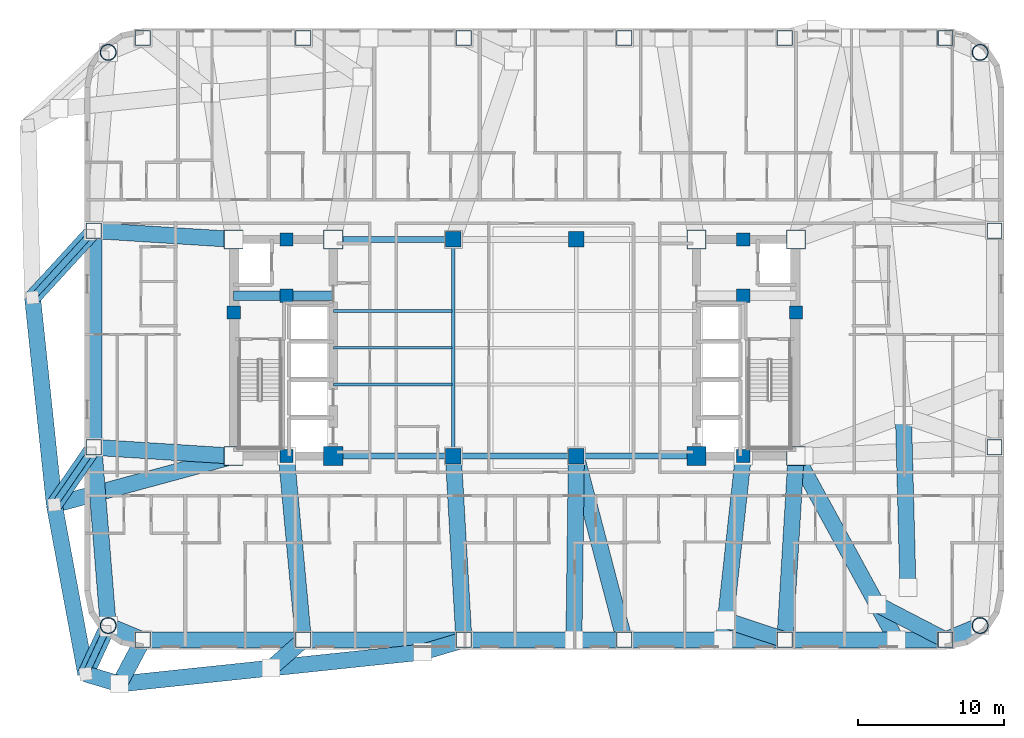
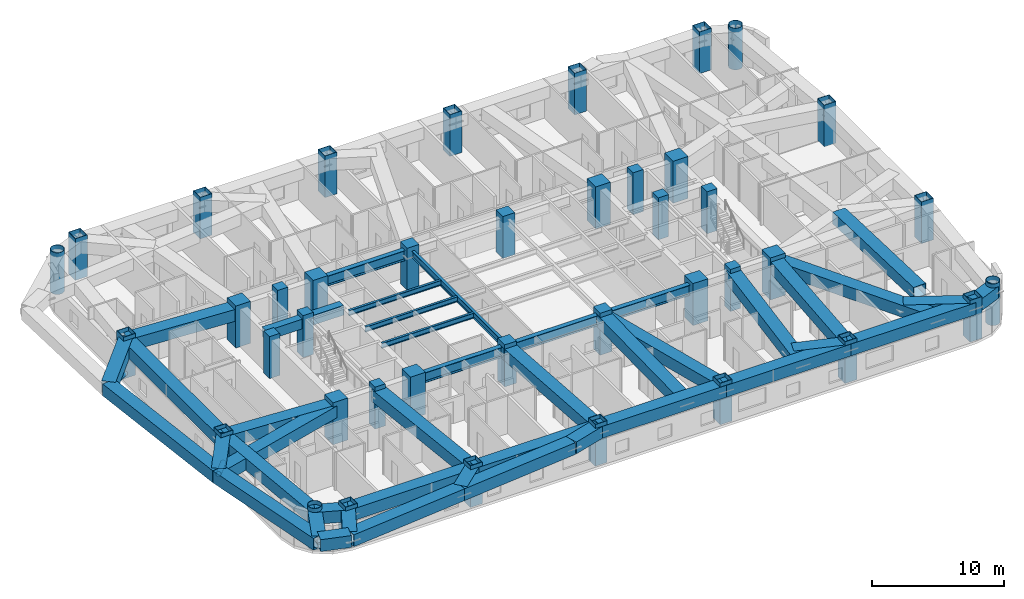
# One storey, part 1 of 14: 42 beams, 40 columns, 3 members.
"""IFC4 building model written with IfcOpenShell, lengths in metres."""

from ifc_helpers import new_model, si_unit, direction, frame, origin, origin_2d, place, context, subcontext, project, spatial, rectangle, hollow_rectangle, hollow_circle, i_section, extrude, material, material_profile, profile_set, type_object, element, save


model = new_model("IFC4")

# Units and contexts
model_context = context("Model", 3, precision=1e-05, world=origin(), true_north=direction((0.0, 1.0)))
body_context = subcontext(model_context, "Body", "Model", "MODEL_VIEW")
ifc_project = project(units=[si_unit("LENGTHUNIT", "METRE"), si_unit("AREAUNIT", "SQUARE_METRE"), si_unit("VOLUMEUNIT", "CUBIC_METRE"), si_unit("PLANEANGLEUNIT", "RADIAN"), si_unit("MASSUNIT", "GRAM", prefix="KILO")], contexts=[model_context])

# Site, building, storey
site_placement = place(None, origin())
site = spatial("IfcSite", under=ifc_project, at=site_placement, CompositionType="ELEMENT")
building_placement = place(site_placement, origin())
building = spatial("IfcBuilding", under=site, at=building_placement, Name="Voryun Gate Residences", CompositionType="ELEMENT")
storey_placement = place(building_placement, frame((0.0, 0.0, 136.5)))
storey = spatial("IfcBuildingStorey", under=building, at=storey_placement, Name="L33", CompositionType="ELEMENT", Elevation=136.5)

# Columns
ifc_material_1 = material(Name="Concrete C50/60", Category="concrete")
ifc_material_profile_1 = material_profile(ifc_material_1, rectangle(XDim=1.050048828125, YDim=1.050048828125, at=origin_2d()), Name="RC-1050x1050")
ifc_profile_set_1 = profile_set([ifc_material_profile_1], Name="Concrete C50/60")
column_type_1 = type_object("IfcColumnType", Name="COL_CORE_1050", PredefinedType="COLUMN", material=ifc_profile_set_1)
for number, where, z_axis, x_axis, name in (
    (1, (-4.199951171875, -7.39990234375, 0.0), (0.0, 0.0, 1.0), (1.0, 0.0, 0.0), "L33 Interior spine column SP-WS"),
    (2, (-4.199951171875, 7.39990234375, 0.0), (0.0, 0.0, 1.0), (1.0, 0.0, 0.0), "L33 Interior spine column SP-WN"),
    (3, (4.199951171875, -7.39990234375, 0.0), (0.0, 0.0, 1.0), (1.0, 0.0, 0.0), "L33 Interior spine column SP-ES"),
    (4, (4.199951171875, 7.39990234375, 0.0), (0.0, 0.0, 1.0), (1.0, 0.0, 0.0), "L33 Interior spine column SP-EN"),
):
    element("IfcColumn", number, at=place(storey_placement, frame(where, z_axis=z_axis, x_axis=x_axis)), inside=storey, type_object=column_type_1, Name=name, PredefinedType="COLUMN", context=body_context, shape_type="SweptSolid", body=[
        extrude(rectangle(XDim=1.050048828125, YDim=1.050048828125, at=origin_2d()), origin(), (0.0, 0.0, 1.0), 3.89990234375),
    ])
ifc_material_2 = material(Name="Concrete C50/60", Category="concrete")
ifc_material_profile_2 = material_profile(ifc_material_2, rectangle(XDim=0.89990234375, YDim=0.89990234375, at=origin_2d()), Name="RC-900x900")
ifc_profile_set_2 = profile_set([ifc_material_profile_2], Name="Concrete C50/60")
column_type_2 = type_object("IfcColumnType", Name="COL_CORE_900", PredefinedType="COLUMN", material=ifc_profile_set_2)
for number, where, z_axis, x_axis, name in (
    (5, (-19.199951171875, 2.39990234375, 0.0), (0.0, 0.0, 1.0), (1.0, 0.0, 0.0), "L33 Core boundary column WC-MW"),
    (6, (-15.60009765625, -7.39990234375, 0.0), (0.0, 0.0, 1.0), (1.0, 0.0, 0.0), "L33 Core boundary column WC-SM"),
    (7, (-15.60009765625, 7.39990234375, 0.0), (0.0, 0.0, 1.0), (1.0, 0.0, 0.0), "L33 Core boundary column WC-NM"),
    (8, (-15.60009765625, 3.550048828125, 0.0), (0.0, 0.0, 1.0), (1.0, 0.0, 0.0), "L33 Core boundary column WC-MM"),
    (9, (15.60009765625, 3.550048828125, 0.0), (0.0, 0.0, 1.0), (1.0, 0.0, 0.0), "L33 Core boundary column EC-MM"),
    (10, (15.60009765625, -7.39990234375, 0.0), (0.0, 0.0, 1.0), (1.0, 0.0, 0.0), "L33 Core boundary column EC-SM"),
    (11, (15.60009765625, 7.39990234375, 0.0), (0.0, 0.0, 1.0), (1.0, 0.0, 0.0), "L33 Core boundary column EC-NM"),
    (12, (19.199951171875, 2.39990234375, 0.0), (0.0, 0.0, 1.0), (1.0, 0.0, 0.0), "L33 Core boundary column EC-ME"),
):
    element("IfcColumn", number, at=place(storey_placement, frame(where, z_axis=z_axis, x_axis=x_axis)), inside=storey, type_object=column_type_2, Name=name, PredefinedType="COLUMN", context=body_context, shape_type="SweptSolid", body=[
        extrude(rectangle(XDim=0.89990234375, YDim=0.89990234375, at=origin_2d()), origin(), (0.0, 0.0, 1.0), 3.89990234375),
    ])
ifc_material_3 = material(Name="Steel SM420", Category="steel")
ifc_material_profile_3 = material_profile(ifc_material_3, hollow_circle(Radius=0.550048828125, WallThickness=0.035888671875, at=origin_2d()), Name="CHS-1100x36")
ifc_profile_set_3 = profile_set([ifc_material_profile_3], Name="Steel SM420")
column_type_3 = type_object("IfcColumnType", Name="COL_CRN_1100", PredefinedType="COLUMN", material=ifc_profile_set_3)
for number, where, z_axis, x_axis, name in (
    (13, (31.768798828125, -18.96875, 0.0), (0.0, 0.0, 1.0), (1.0, 0.0, 0.0), "L33 Exoskeleton column CSE"),
    (14, (31.768798828125, 20.168701171875, 0.0), (0.0, 0.0, 1.0), (1.0, 0.0, 0.0), "L33 Exoskeleton column CNE"),
    (15, (-27.768798828125, 20.168701171875, 0.0), (0.0, 0.0, 1.0), (1.0, 0.0, 0.0), "L33 Exoskeleton column CNW"),
    (16, (-27.768798828125, -18.96875, 0.0), (0.0, 0.0, 1.0), (1.0, 0.0, 0.0), "L33 Exoskeleton column CSW"),
):
    element("IfcColumn", number, at=place(storey_placement, frame(where, z_axis=z_axis, x_axis=x_axis)), inside=storey, type_object=column_type_3, Name=name, PredefinedType="COLUMN", context=body_context, shape_type="SweptSolid", body=[
        extrude(hollow_circle(Radius=0.550048828125, WallThickness=0.035888671875, at=origin_2d()), origin(), (0.0, 0.0, 1.0), 3.864990234375),
    ])
ifc_material_4 = material(Name="Steel SM420", Category="steel")
ifc_material_profile_4 = material_profile(ifc_material_4, hollow_rectangle(XDim=1.050048828125, YDim=1.050048828125, WallThickness=0.035888671875, at=origin_2d()), Name="BOX-1050x1050x36")
ifc_profile_set_4 = profile_set([ifc_material_profile_4], Name="Steel SM420")
column_type_4 = type_object("IfcColumnType", Name="COL_EXO_B2", PredefinedType="COLUMN", material=ifc_profile_set_4)
for number, where, z_axis, x_axis, name in (
    (17, (-25.39990234375, -19.949951171875, 0.0), (0.0, 0.0, 1.0), (1.0, 0.0, 0.0), "L33 Exoskeleton column S1"),
    (18, (-14.43994140625, -19.949951171875, 0.0), (0.0, 0.0, 1.0), (1.0, 0.0, 0.0), "L33 Exoskeleton column S2"),
    (19, (-3.47998046875, -19.949951171875, 0.0), (0.0, 0.0, 1.0), (1.0, 0.0, 0.0), "L33 Exoskeleton column S3"),
    (20, (7.47998046875, -19.949951171875, 0.0), (0.0, 0.0, 1.0), (1.0, 0.0, 0.0), "L33 Exoskeleton column S4"),
    (21, (18.43994140625, -19.949951171875, 0.0), (0.0, 0.0, 1.0), (1.0, 0.0, 0.0), "L33 Exoskeleton column S5"),
    (22, (29.39990234375, -19.949951171875, 0.0), (0.0, 0.0, 1.0), (1.0, 0.0, 0.0), "L33 Exoskeleton column S6"),
    (23, (32.75, -6.798095703125, 0.0), (0.0, 0.0, 1.0), (1.0, 0.0, 0.0), "L33 Exoskeleton column E1"),
    (24, (32.75, 7.998046875, 0.0), (0.0, 0.0, 1.0), (1.0, 0.0, 0.0), "L33 Exoskeleton column E2"),
    (25, (29.39990234375, 21.14990234375, 0.0), (0.0, 0.0, 1.0), (1.0, 0.0, 0.0), "L33 Exoskeleton column N1"),
    (26, (18.43994140625, 21.14990234375, 0.0), (0.0, 0.0, 1.0), (1.0, 0.0, 0.0), "L33 Exoskeleton column N2"),
    (27, (7.47998046875, 21.14990234375, 0.0), (0.0, 0.0, 1.0), (1.0, 0.0, 0.0), "L33 Exoskeleton column N3"),
    (28, (-3.47998046875, 21.14990234375, 0.0), (0.0, 0.0, 1.0), (1.0, 0.0, 0.0), "L33 Exoskeleton column N4"),
    (29, (-14.43994140625, 21.14990234375, 0.0), (0.0, 0.0, 1.0), (1.0, 0.0, 0.0), "L33 Exoskeleton column N5"),
    (30, (-25.39990234375, 21.14990234375, 0.0), (0.0, 0.0, 1.0), (1.0, 0.0, 0.0), "L33 Exoskeleton column N6"),
    (31, (-28.75, 7.998046875, 0.0), (0.0, 0.0, 1.0), (1.0, 0.0, 0.0), "L33 Exoskeleton column W1"),
    (32, (-28.75, -6.798095703125, 0.0), (0.0, 0.0, 1.0), (1.0, 0.0, 0.0), "L33 Exoskeleton column W2"),
):
    element("IfcColumn", number, at=place(storey_placement, frame(where, z_axis=z_axis, x_axis=x_axis)), inside=storey, type_object=column_type_4, Name=name, PredefinedType="COLUMN", context=body_context, shape_type="SweptSolid", body=[
        extrude(hollow_rectangle(XDim=1.050048828125, YDim=1.050048828125, WallThickness=0.035888671875, at=origin_2d()), origin(), (0.0, 0.0, 1.0), 3.864990234375),
    ])
ifc_material_5 = material(Name="Concrete C60/75", Category="concrete")
ifc_material_profile_5 = material_profile(ifc_material_5, rectangle(XDim=1.300048828125, YDim=1.300048828125, at=origin_2d()), Name="RC-1300x1300")
ifc_profile_set_5 = profile_set([ifc_material_profile_5], Name="Concrete C60/75")
column_type_5 = type_object("IfcColumnType", Name="COL_MEGA_1300", PredefinedType="COLUMN", material=ifc_profile_set_5)
for number, where, z_axis, x_axis, name in (
    (33, (-19.199951171875, -7.39990234375, 0.0), (0.0, 0.0, 1.0), (1.0, 0.0, 0.0), "L33 Core boundary column WC-SW"),
    (34, (-19.199951171875, 7.39990234375, 0.0), (0.0, 0.0, 1.0), (1.0, 0.0, 0.0), "L33 Core boundary column WC-NW"),
    (35, (-12.39990234375, -7.39990234375, 0.0), (0.0, 0.0, 1.0), (1.0, 0.0, 0.0), "L33 Core boundary column WC-SE"),
    (36, (-12.39990234375, 7.39990234375, 0.0), (0.0, 0.0, 1.0), (1.0, 0.0, 0.0), "L33 Core boundary column WC-NE"),
    (37, (12.39990234375, -7.39990234375, 0.0), (0.0, 0.0, 1.0), (1.0, 0.0, 0.0), "L33 Core boundary column EC-SW"),
    (38, (12.39990234375, 7.39990234375, 0.0), (0.0, 0.0, 1.0), (1.0, 0.0, 0.0), "L33 Core boundary column EC-NW"),
    (39, (19.199951171875, -7.39990234375, 0.0), (0.0, 0.0, 1.0), (1.0, 0.0, 0.0), "L33 Core boundary column EC-SE"),
    (40, (19.199951171875, 7.39990234375, 0.0), (0.0, 0.0, 1.0), (1.0, 0.0, 0.0), "L33 Core boundary column EC-NE"),
):
    element("IfcColumn", number, at=place(storey_placement, frame(where, z_axis=z_axis, x_axis=x_axis)), inside=storey, type_object=column_type_5, Name=name, PredefinedType="COLUMN", context=body_context, shape_type="SweptSolid", body=[
        extrude(rectangle(XDim=1.300048828125, YDim=1.300048828125, at=origin_2d()), origin(), (0.0, 0.0, 1.0), 3.89990234375),
    ])

# Beams
ifc_material_6 = material(Name="Steel SM420", Category="steel")
ifc_material_profile_6 = material_profile(ifc_material_6, hollow_rectangle(XDim=1.10009765625, YDim=1.10009765625, WallThickness=0.035888671875, at=origin_2d()), Name="BOX-1100x1100x36")
ifc_profile_set_6 = profile_set([ifc_material_profile_6], Name="Steel SM420")
beam_type_1 = type_object("IfcBeamType", Name="BM_ARCH_RIB", PredefinedType="USERDEFINED", material=ifc_profile_set_6)
for number, where, z_axis, x_axis, name in (
    (41, (-25.39990234375, -19.949951171875, 2.949951171875), (1.0, 0.0, 0.0), (0.0, 1.0, 0.0), "BM-L33-SPAND-01"),
    (42, (-14.43994140625, -19.949951171875, 2.949951171875), (1.0, 0.0, 0.0), (0.0, 1.0, 0.0), "BM-L33-SPAND-02"),
    (43, (-3.47998046875, -19.949951171875, 2.949951171875), (1.0, 0.0, 0.0), (0.0, 1.0, 0.0), "BM-L33-SPAND-03"),
    (44, (7.47998046875, -19.949951171875, 2.949951171875), (1.0, 0.0, 0.0), (0.0, 1.0, 0.0), "BM-L33-SPAND-04"),
    (45, (18.43994140625, -19.949951171875, 2.949951171875), (1.0, 0.0, 0.0), (0.0, 1.0, 0.0), "BM-L33-SPAND-05"),
):
    element("IfcBeam", number, at=place(storey_placement, frame(where, z_axis=z_axis, x_axis=x_axis)), inside=storey, type_object=beam_type_1, Name=name, ObjectType="GIRDER", PredefinedType="USERDEFINED", context=body_context, shape_type="SweptSolid", body=[
        extrude(hollow_rectangle(XDim=1.10009765625, YDim=1.10009765625, WallThickness=0.035888671875, at=origin_2d()), origin(), (0.0, 0.0, 1.0), 10.9599609375),
    ])
beam_1_placement = place(storey_placement, frame((29.39990234375, -19.949951171875, 2.949951171875), z_axis=(0.923883376753, 0.382674151414, 0.0), x_axis=(-0.382674151414, 0.923883376753, 0.0)))
element("IfcBeam", 46, at=beam_1_placement, inside=storey, type_object=beam_type_1, Name="BM-L33-SPAND-06", ObjectType="GIRDER", PredefinedType="USERDEFINED", context=body_context, shape_type="SweptSolid", body=[
    extrude(hollow_rectangle(XDim=1.10009765625, YDim=1.10009765625, WallThickness=0.035888671875, at=origin_2d()), origin(), (0.0, 0.0, 1.0), 2.56396484375),
])
beam_2_placement = place(storey_placement, frame((-28.75, 7.998046875, 2.949951171875), z_axis=(0.0, -1.0, 0.0), x_axis=(1.0, 0.0, 0.0)))
element("IfcBeam", 47, at=beam_2_placement, inside=storey, type_object=beam_type_1, Name="BM-L33-SPAND-18", ObjectType="GIRDER", PredefinedType="USERDEFINED", context=body_context, shape_type="SweptSolid", body=[
    extrude(hollow_rectangle(XDim=1.10009765625, YDim=1.10009765625, WallThickness=0.035888671875, at=origin_2d()), origin(), (0.0, 0.0, 1.0), 14.796142578125),
])
beam_3_placement = place(storey_placement, frame((-28.75, -6.798095703125, 2.949951171875), z_axis=(0.080359517973, -0.996765944378, 0.0), x_axis=(0.996765944378, 0.080359517973, 0.0)))
element("IfcBeam", 48, at=beam_3_placement, inside=storey, type_object=beam_type_1, Name="BM-L33-SPAND-19", ObjectType="GIRDER", PredefinedType="USERDEFINED", context=body_context, shape_type="SweptSolid", body=[
    extrude(hollow_rectangle(XDim=1.10009765625, YDim=1.10009765625, WallThickness=0.035888671875, at=origin_2d()), origin(), (0.0, 0.0, 1.0), 12.210205078125),
])
beam_4_placement = place(storey_placement, frame((-27.768798828125, -18.96875, 2.949951171875), z_axis=(0.923883376753, -0.382674151414, 0.0), x_axis=(0.382674151414, 0.923883376753, 0.0)))
element("IfcBeam", 49, at=beam_4_placement, inside=storey, type_object=beam_type_1, Name="BM-L33-SPAND-20", ObjectType="GIRDER", PredefinedType="USERDEFINED", context=body_context, shape_type="SweptSolid", body=[
    extrude(hollow_rectangle(XDim=1.10009765625, YDim=1.10009765625, WallThickness=0.035888671875, at=origin_2d()), origin(), (0.0, 0.0, 1.0), 2.56396484375),
])
beam_5_placement = place(storey_placement, frame((-25.39990234375, -19.949951171875, 2.949951171875), z_axis=(-0.467884426301, -0.883789660284, 0.0), x_axis=(0.883789660284, -0.467884426301, 0.0)))
element("IfcBeam", 50, at=beam_5_placement, inside=storey, type_object=beam_type_1, Name="BM-L33-XFERLOW-S1", ObjectType="GIRDER", PredefinedType="USERDEFINED", context=body_context, shape_type="SweptSolid", body=[
    extrude(hollow_rectangle(XDim=1.10009765625, YDim=1.10009765625, WallThickness=0.035888671875, at=origin_2d()), origin(), (0.0, 0.0, 1.0), 3.4052734375),
])
beam_6_placement = place(storey_placement, frame((-14.43994140625, -19.949951171875, 2.949951171875), z_axis=(-0.754488886236, -0.656312822171, 0.0), x_axis=(0.656312822171, -0.754488886236, 0.0)))
element("IfcBeam", 51, at=beam_6_placement, inside=storey, type_object=beam_type_1, Name="BM-L33-XFERLOW-S2", ObjectType="GIRDER", PredefinedType="USERDEFINED", context=body_context, shape_type="SweptSolid", body=[
    extrude(hollow_rectangle(XDim=1.10009765625, YDim=1.10009765625, WallThickness=0.035888671875, at=origin_2d()), origin(), (0.0, 0.0, 1.0), 2.929443359375),
])
beam_7_placement = place(storey_placement, frame((-3.47998046875, -19.949951171875, 2.949951171875), z_axis=(-0.959003386246, -0.28339461034, 0.0), x_axis=(0.28339461034, -0.959003386246, 0.0)))
element("IfcBeam", 52, at=beam_7_placement, inside=storey, type_object=beam_type_1, Name="BM-L33-XFERLOW-S3", ObjectType="GIRDER", PredefinedType="USERDEFINED", context=body_context, shape_type="SweptSolid", body=[
    extrude(hollow_rectangle(XDim=1.10009765625, YDim=1.10009765625, WallThickness=0.035888671875, at=origin_2d()), origin(), (0.0, 0.0, 1.0), 2.947998046875),
])
beam_8_placement = place(storey_placement, frame((4.199951171875, -7.39990234375, 2.949951171875), z_axis=(-0.013324369035, -0.999911226655, 0.0), x_axis=(0.999911226655, -0.013324369035, 0.0)))
element("IfcBeam", 53, at=beam_8_placement, inside=storey, type_object=beam_type_1, Name="BM-L33-XFERCANT-S4", ObjectType="GIRDER", PredefinedType="USERDEFINED", context=body_context, shape_type="SweptSolid", body=[
    extrude(hollow_rectangle(XDim=1.10009765625, YDim=1.10009765625, WallThickness=0.035888671875, at=origin_2d()), origin(), (0.0, 0.0, 1.0), 12.55126953125),
])
beam_9_placement = place(storey_placement, frame((15.60009765625, -7.39990234375, 2.949951171875), z_axis=(-0.108278979562, -0.994120547311, 0.0), x_axis=(0.994120547311, -0.108278979562, 0.0)))
element("IfcBeam", 54, at=beam_9_placement, inside=storey, type_object=beam_type_1, Name="BM-L33-XFERCANT-S5", ObjectType="GIRDER", PredefinedType="USERDEFINED", context=body_context, shape_type="SweptSolid", body=[
    extrude(hollow_rectangle(XDim=1.10009765625, YDim=1.10009765625, WallThickness=0.035888671875, at=origin_2d()), origin(), (0.0, 0.0, 1.0), 12.624267578125),
])
beam_10_placement = place(storey_placement, frame((18.43994140625, -19.949951171875, 2.949951171875), z_axis=(-0.949717304144, 0.313108674758, 0.0), x_axis=(-0.313108674758, -0.949717304144, 0.0)))
element("IfcBeam", 55, at=beam_10_placement, inside=storey, type_object=beam_type_1, Name="BM-L33-XFERLOW-S5", ObjectType="GIRDER", PredefinedType="USERDEFINED", context=body_context, shape_type="SweptSolid", body=[
    extrude(hollow_rectangle(XDim=1.10009765625, YDim=1.10009765625, WallThickness=0.035888671875, at=origin_2d()), origin(), (0.0, 0.0, 1.0), 4.276123046875),
])
beam_11_placement = place(storey_placement, frame((19.199951171875, -7.39990234375, 2.949951171875), z_axis=(0.478837771899, -0.877903404825, 0.0), x_axis=(0.877903404825, 0.478837771899, 0.0)))
element("IfcBeam", 56, at=beam_11_placement, inside=storey, type_object=beam_type_1, Name="BM-L33-XFERCANT-S6", ObjectType="GIRDER", PredefinedType="USERDEFINED", context=body_context, shape_type="SweptSolid", body=[
    extrude(hollow_rectangle(XDim=1.10009765625, YDim=1.10009765625, WallThickness=0.035888671875, at=origin_2d()), origin(), (0.0, 0.0, 1.0), 14.29541015625),
])
beam_12_placement = place(storey_placement, frame((29.39990234375, -19.949951171875, 2.949951171875), z_axis=(-0.887741909139, 0.460341506665, 0.0), x_axis=(-0.460341506665, -0.887741909139, 0.0)))
element("IfcBeam", 57, at=beam_12_placement, inside=storey, type_object=beam_type_1, Name="BM-L33-XFERLOW-S6", ObjectType="GIRDER", PredefinedType="USERDEFINED", context=body_context, shape_type="SweptSolid", body=[
    extrude(hollow_rectangle(XDim=1.10009765625, YDim=1.10009765625, WallThickness=0.035888671875, at=origin_2d()), origin(), (0.0, 0.0, 1.0), 5.26953125),
])
beam_13_placement = place(storey_placement, frame((-28.75, 7.998046875, 2.949951171875), z_axis=(-0.674916292108, -0.737894300457, 0.0), x_axis=(0.737894300457, -0.674916292108, 0.0)))
element("IfcBeam", 58, at=beam_13_placement, inside=storey, type_object=beam_type_1, Name="BM-L33-XFERLOW-W1", ObjectType="GIRDER", PredefinedType="USERDEFINED", context=body_context, shape_type="SweptSolid", body=[
    extrude(hollow_rectangle(XDim=1.10009765625, YDim=1.10009765625, WallThickness=0.035888671875, at=origin_2d()), origin(), (0.0, 0.0, 1.0), 6.19873046875),
])
beam_14_placement = place(storey_placement, frame((-19.199951171875, -7.39990234375, 2.949951171875), z_axis=(-0.965202497616, -0.261503611058, 0.0), x_axis=(0.261503611058, -0.965202497616, 0.0)))
element("IfcBeam", 59, at=beam_14_placement, inside=storey, type_object=beam_type_1, Name="BM-L33-XFERCANT-W2", ObjectType="GIRDER", PredefinedType="USERDEFINED", context=body_context, shape_type="SweptSolid", body=[
    extrude(hollow_rectangle(XDim=1.10009765625, YDim=1.10009765625, WallThickness=0.035888671875, at=origin_2d()), origin(), (0.0, 0.0, 1.0), 12.688720703125),
])
beam_15_placement = place(storey_placement, frame((-28.75, -6.798095703125, 2.949951171875), z_axis=(-0.566824943393, -0.823838262978, 0.0), x_axis=(0.823838262978, -0.566824943393, 0.0)))
element("IfcBeam", 60, at=beam_15_placement, inside=storey, type_object=beam_type_1, Name="BM-L33-XFERLOW-W2", ObjectType="GIRDER", PredefinedType="USERDEFINED", context=body_context, shape_type="SweptSolid", body=[
    extrude(hollow_rectangle(XDim=1.10009765625, YDim=1.10009765625, WallThickness=0.035888671875, at=origin_2d()), origin(), (0.0, 0.0, 1.0), 4.758056640625),
])
beam_16_placement = place(storey_placement, frame((-27.768798828125, -18.96875, 2.949951171875), z_axis=(-0.421311997102, -0.906915762956, 0.0), x_axis=(0.906915762956, -0.421311997102, 0.0)))
element("IfcBeam", 61, at=beam_16_placement, inside=storey, type_object=beam_type_1, Name="BM-L33-XFERLOW-CSW", ObjectType="GIRDER", PredefinedType="USERDEFINED", context=body_context, shape_type="SweptSolid", body=[
    extrude(hollow_rectangle(XDim=1.10009765625, YDim=1.10009765625, WallThickness=0.035888671875, at=origin_2d()), origin(), (0.0, 0.0, 1.0), 3.6455078125),
])
for number, where, z_axis, x_axis, name in (
    (62, (-26.9931640625, -22.95947265625, 2.949951171875), (0.99452370336, 0.10451125994, 0.0), (-0.10451125994, 0.99452370336, 0.0), "BM-L33-XFERRING-01"),
    (63, (-16.650146484375, -21.87255859375, 2.949951171875), (0.994521263116, 0.104534478571, 0.0), (-0.104534478571, 0.994521263116, 0.0), "BM-L33-XFERRING-02"),
):
    element("IfcBeam", number, at=place(storey_placement, frame(where, z_axis=z_axis, x_axis=x_axis)), inside=storey, type_object=beam_type_1, Name=name, ObjectType="GIRDER", PredefinedType="USERDEFINED", context=body_context, shape_type="SweptSolid", body=[
        extrude(hollow_rectangle(XDim=1.10009765625, YDim=1.10009765625, WallThickness=0.035888671875, at=origin_2d()), origin(), (0.0, 0.0, 1.0), 10.39990234375),
    ])
beam_17_placement = place(storey_placement, frame((26.8408203125, -16.373779296875, 2.949951171875), z_axis=(-0.026151005195, 0.999658003983, 0.0), x_axis=(-0.999658003983, -0.026151005195, 0.0)))
element("IfcBeam", 64, at=beam_17_placement, inside=storey, type_object=beam_type_1, Name="BM-L33-XFERRING-07", ObjectType="GIRDER", PredefinedType="USERDEFINED", context=body_context, shape_type="SweptSolid", body=[
    extrude(hollow_rectangle(XDim=1.10009765625, YDim=1.10009765625, WallThickness=0.035888671875, at=origin_2d()), origin(), (0.0, 0.0, 1.0), 11.753662109375),
])
beam_18_placement = place(storey_placement, frame((-32.93359375, 3.424072265625, 2.949951171875), z_axis=(0.104540894669, -0.994520588697, 0.0), x_axis=(0.994520588697, 0.104540894669, 0.0)))
element("IfcBeam", 65, at=beam_18_placement, inside=storey, type_object=beam_type_1, Name="BM-L33-XFERRING-18", ObjectType="GIRDER", PredefinedType="USERDEFINED", context=body_context, shape_type="SweptSolid", body=[
    extrude(hollow_rectangle(XDim=1.10009765625, YDim=1.10009765625, WallThickness=0.035888671875, at=origin_2d()), origin(), (0.0, 0.0, 1.0), 14.219970703125),
])
beam_19_placement = place(storey_placement, frame((-31.447021484375, -10.718017578125, 2.949951171875), z_axis=(0.182267768769, -0.983248931079, 0.0), x_axis=(0.983248931079, 0.182267768769, 0.0)))
element("IfcBeam", 66, at=beam_19_placement, inside=storey, type_object=beam_type_1, Name="BM-L33-XFERRING-19", ObjectType="GIRDER", PredefinedType="USERDEFINED", context=body_context, shape_type="SweptSolid", body=[
    extrude(hollow_rectangle(XDim=1.10009765625, YDim=1.10009765625, WallThickness=0.035888671875, at=origin_2d()), origin(), (0.0, 0.0, 1.0), 11.753662109375),
])
beam_20_placement = place(storey_placement, frame((-29.3046875, -22.27490234375, 2.949951171875), z_axis=(0.958834884093, -0.283964196768, 0.0), x_axis=(0.283964196768, 0.958834884093, 0.0)))
element("IfcBeam", 67, at=beam_20_placement, inside=storey, type_object=beam_type_1, Name="BM-L33-XFERRING-20", ObjectType="GIRDER", PredefinedType="USERDEFINED", context=body_context, shape_type="SweptSolid", body=[
    extrude(hollow_rectangle(XDim=1.10009765625, YDim=1.10009765625, WallThickness=0.035888671875, at=origin_2d()), origin(), (0.0, 0.0, 1.0), 2.41064453125),
])
beam_21_placement = place(storey_placement, frame((-15.60009765625, -7.39990234375, 2.949951171875), z_axis=(0.092049895705, -0.995754395773, 0.0), x_axis=(0.995754395773, 0.092049895705, 0.0)))
element("IfcBeam", 68, at=beam_21_placement, inside=storey, type_object=beam_type_1, Name="BM-L33-RAD-S2", ObjectType="GIRDER", PredefinedType="USERDEFINED", context=body_context, shape_type="SweptSolid", body=[
    extrude(hollow_rectangle(XDim=1.10009765625, YDim=1.10009765625, WallThickness=0.035888671875, at=origin_2d()), origin(), (0.0, 0.0, 1.0), 12.603515625),
])
beam_22_placement = place(storey_placement, frame((-4.199951171875, -7.39990234375, 2.949951171875), z_axis=(0.057273791334, -0.998358509167, 0.0), x_axis=(0.998358509167, 0.057273791334, 0.0)))
element("IfcBeam", 69, at=beam_22_placement, inside=storey, type_object=beam_type_1, Name="BM-L33-RAD-S3", ObjectType="GIRDER", PredefinedType="USERDEFINED", context=body_context, shape_type="SweptSolid", body=[
    extrude(hollow_rectangle(XDim=1.10009765625, YDim=1.10009765625, WallThickness=0.035888671875, at=origin_2d()), origin(), (0.0, 0.0, 1.0), 12.57080078125),
])
beam_23_placement = place(storey_placement, frame((4.199951171875, -7.39990234375, 2.949951171875), z_axis=(0.252862419611, -0.967502246379, 0.0), x_axis=(0.967502246379, 0.252862419611, 0.0)))
element("IfcBeam", 70, at=beam_23_placement, inside=storey, type_object=beam_type_1, Name="BM-L33-RAD-S4", ObjectType="GIRDER", PredefinedType="USERDEFINED", context=body_context, shape_type="SweptSolid", body=[
    extrude(hollow_rectangle(XDim=1.10009765625, YDim=1.10009765625, WallThickness=0.035888671875, at=origin_2d()), origin(), (0.0, 0.0, 1.0), 12.9716796875),
])
beam_24_placement = place(storey_placement, frame((19.199951171875, -7.39990234375, 2.949951171875), z_axis=(-0.060447572917, -0.998171373527, 0.0), x_axis=(0.998171373527, -0.060447572917, 0.0)))
element("IfcBeam", 71, at=beam_24_placement, inside=storey, type_object=beam_type_1, Name="BM-L33-RAD-S5", ObjectType="GIRDER", PredefinedType="USERDEFINED", context=body_context, shape_type="SweptSolid", body=[
    extrude(hollow_rectangle(XDim=1.10009765625, YDim=1.10009765625, WallThickness=0.035888671875, at=origin_2d()), origin(), (0.0, 0.0, 1.0), 12.572998046875),
])
beam_25_placement = place(storey_placement, frame((-19.199951171875, 7.39990234375, 2.949951171875), z_axis=(-0.998044329736, 0.062510126233, 0.0), x_axis=(-0.062510126233, -0.998044329736, 0.0)))
element("IfcBeam", 72, at=beam_25_placement, inside=storey, type_object=beam_type_1, Name="BM-L33-RAD-W1", ObjectType="GIRDER", PredefinedType="USERDEFINED", context=body_context, shape_type="SweptSolid", body=[
    extrude(hollow_rectangle(XDim=1.10009765625, YDim=1.10009765625, WallThickness=0.035888671875, at=origin_2d()), origin(), (0.0, 0.0, 1.0), 9.56884765625),
])
beam_26_placement = place(storey_placement, frame((-19.199951171875, -7.39990234375, 2.949951171875), z_axis=(-0.998020380726, 0.062891332119, 0.0), x_axis=(-0.062891332119, -0.998020380726, 0.0)))
element("IfcBeam", 73, at=beam_26_placement, inside=storey, type_object=beam_type_1, Name="BM-L33-RAD-W2", ObjectType="GIRDER", PredefinedType="USERDEFINED", context=body_context, shape_type="SweptSolid", body=[
    extrude(hollow_rectangle(XDim=1.10009765625, YDim=1.10009765625, WallThickness=0.035888671875, at=origin_2d()), origin(), (0.0, 0.0, 1.0), 9.569091796875),
])
ifc_material_7 = material(Name="Concrete C60/75", Category="concrete")
ifc_material_profile_7 = material_profile(ifc_material_7, rectangle(XDim=0.64990234375, YDim=0.89990234375, at=origin_2d()), Name="RC-650x900")
ifc_profile_set_7 = profile_set([ifc_material_profile_7], Name="Concrete C60/75")
beam_type_2 = type_object("IfcBeamType", Name="BM_COUP_RC900", PredefinedType="LINTEL", material=ifc_profile_set_7)
beam_27_placement = place(storey_placement, frame((-19.199951171875, 3.550048828125, 3.050048828125), z_axis=(1.0, 0.0, 0.0), x_axis=(0.0, 1.0, 0.0)))
element("IfcBeam", 74, at=beam_27_placement, inside=storey, type_object=beam_type_2, Name="BM-L33-WC1", PredefinedType="LINTEL", context=body_context, shape_type="SweptSolid", body=[
    extrude(rectangle(XDim=0.64990234375, YDim=0.89990234375, at=origin_2d()), origin(), (0.0, 0.0, 1.0), 6.800048828125),
])
ifc_material_8 = material(Name="Steel SM355", Category="steel")
ifc_material_profile_8 = material_profile(ifc_material_8, i_section(OverallWidth=0.25, OverallDepth=0.60009765625, WebThickness=0.011962890625, FlangeThickness=0.02197265625, FilletRadius=0.01806640625, at=origin_2d()), Name="H-600x250x12x22")
ifc_profile_set_8 = profile_set([ifc_material_profile_8], Name="Steel SM355")
beam_type_3 = type_object("IfcBeamType", Name="BM_GIRD_600", PredefinedType="USERDEFINED", material=ifc_profile_set_8)
beam_28_placement = place(storey_placement, frame((-4.199951171875, -7.39990234375, 3.199951171875), z_axis=(0.0, 1.0, 0.0), x_axis=(-1.0, 0.0, 0.0)))
element("IfcBeam", 75, at=beam_28_placement, inside=storey, type_object=beam_type_3, Name="BM-L33-SPX-W", ObjectType="GIRDER", PredefinedType="USERDEFINED", context=body_context, shape_type="SweptSolid", body=[
    extrude(i_section(OverallWidth=0.25, OverallDepth=0.60009765625, WebThickness=0.011962890625, FlangeThickness=0.02197265625, FilletRadius=0.01806640625, at=origin_2d()), origin(), (0.0, 0.0, 1.0), 14.7998046875),
])
ifc_material_9 = material(Name="Steel SM355", Category="steel")
ifc_material_profile_9 = material_profile(ifc_material_9, i_section(OverallWidth=0.199951171875, OverallDepth=0.47998046875, WebThickness=0.010009765625, FlangeThickness=0.01806640625, FilletRadius=0.01806640625, at=origin_2d()), Name="H-480x200x10x18")
ifc_profile_set_9 = profile_set([ifc_material_profile_9], Name="Steel SM355")
beam_type_4 = type_object("IfcBeamType", Name="BM_SEC_480", PredefinedType="BEAM", material=ifc_profile_set_9)
for number, where, z_axis, x_axis, name in (
    (76, (-12.39990234375, -2.5, 3.260009765625), (1.0, 0.0, 0.0), (0.0, 1.0, 0.0), "BM-L33-SEC-CS1"),
    (77, (-12.39990234375, 0.0, 3.260009765625), (1.0, 0.0, 0.0), (0.0, 1.0, 0.0), "BM-L33-SEC-CM1"),
    (78, (-12.39990234375, 2.5, 3.260009765625), (1.0, 0.0, 0.0), (0.0, 1.0, 0.0), "BM-L33-SEC-CN1"),
):
    element("IfcBeam", number, at=place(storey_placement, frame(where, z_axis=z_axis, x_axis=x_axis)), inside=storey, type_object=beam_type_4, Name=name, PredefinedType="BEAM", context=body_context, shape_type="SweptSolid", body=[
        extrude(i_section(OverallWidth=0.199951171875, OverallDepth=0.47998046875, WebThickness=0.010009765625, FlangeThickness=0.01806640625, FilletRadius=0.01806640625, at=origin_2d()), origin(), (0.0, 0.0, 1.0), 8.099853515625),
    ])
ifc_material_10 = material(Name="Steel SM420", Category="steel")
ifc_material_profile_10 = material_profile(ifc_material_10, i_section(OverallWidth=0.419921875, OverallDepth=0.949951171875, WebThickness=0.02001953125, FlangeThickness=0.035888671875, FilletRadius=0.01806640625, at=origin_2d()), Name="H-950x420x20x36")
ifc_profile_set_10 = profile_set([ifc_material_profile_10], Name="Steel SM420")
beam_type_5 = type_object("IfcBeamType", Name="BM_XFER_950", PredefinedType="USERDEFINED", material=ifc_profile_set_10)
beam_29_placement = place(storey_placement, frame((-12.39990234375, -7.39990234375, 3.02490234375), z_axis=(1.0, 0.0, 0.0), x_axis=(0.0, 1.0, 0.0)))
element("IfcBeam", 79, at=beam_29_placement, inside=storey, type_object=beam_type_5, Name="BM-L33-SPG1-S", ObjectType="GIRDER", PredefinedType="USERDEFINED", context=body_context, shape_type="SweptSolid", body=[
    extrude(i_section(OverallWidth=0.419921875, OverallDepth=0.949951171875, WebThickness=0.02001953125, FlangeThickness=0.035888671875, FilletRadius=0.01806640625, at=origin_2d()), origin(), (0.0, 0.0, 1.0), 8.199951171875),
])
beam_30_placement = place(storey_placement, frame((-4.199951171875, -7.39990234375, 3.02490234375), z_axis=(1.0, 0.0, 0.0), x_axis=(0.0, 1.0, 0.0)))
element("IfcBeam", 80, at=beam_30_placement, inside=storey, type_object=beam_type_5, Name="BM-L33-SPG2-S", ObjectType="GIRDER", PredefinedType="USERDEFINED", context=body_context, shape_type="SweptSolid", body=[
    extrude(i_section(OverallWidth=0.419921875, OverallDepth=0.949951171875, WebThickness=0.02001953125, FlangeThickness=0.035888671875, FilletRadius=0.01806640625, at=origin_2d()), origin(), (0.0, 0.0, 1.0), 8.39990234375),
])
for number, where, z_axis, x_axis, name in (
    (81, (4.199951171875, -7.39990234375, 3.02490234375), (1.0, 0.0, 0.0), (0.0, 1.0, 0.0), "BM-L33-SPG3-S"),
    (82, (-12.39990234375, 7.39990234375, 3.02490234375), (1.0, 0.0, 0.0), (0.0, 1.0, 0.0), "BM-L33-SPG1-N"),
):
    element("IfcBeam", number, at=place(storey_placement, frame(where, z_axis=z_axis, x_axis=x_axis)), inside=storey, type_object=beam_type_5, Name=name, ObjectType="GIRDER", PredefinedType="USERDEFINED", context=body_context, shape_type="SweptSolid", body=[
        extrude(i_section(OverallWidth=0.419921875, OverallDepth=0.949951171875, WebThickness=0.02001953125, FlangeThickness=0.035888671875, FilletRadius=0.01806640625, at=origin_2d()), origin(), (0.0, 0.0, 1.0), 8.199951171875),
    ])

# Members
ifc_material_11 = material(Name="Steel SM420", Category="steel")
ifc_material_profile_11 = material_profile(ifc_material_11, hollow_circle(Radius=0.22998046875, WallThickness=0.02197265625, at=origin_2d()), Name="CHS-460x22")
ifc_profile_set_11 = profile_set([ifc_material_profile_11], Name="Steel SM420")
member_type = type_object("IfcMemberType", Name="MBR_CANT_STRUT_UP", PredefinedType="STRUT", material=ifc_profile_set_11)
member_1_placement = place(storey_placement, frame((-29.033447265625, 7.68798828125, 0.35009765625), z_axis=(-0.615503865898, -0.672912364188, 0.410297381405), x_axis=(0.737881514126, -0.674930271295, 0.0)))
element("IfcMember", 83, at=member_1_placement, inside=storey, type_object=member_type, Name="L33 Block B3 Cantilever Strut W1", PredefinedType="STRUT", context=body_context, shape_type="SweptSolid", body=[
    extrude(hollow_circle(Radius=0.22998046875, WallThickness=0.02197265625, at=origin_2d()), origin(), (0.0, 0.0, 1.0), 6.33642578125),
])
member_2_placement = place(storey_placement, frame((-28.988037109375, -7.14404296875, 0.997802734375), z_axis=(-0.516899350867, -0.751279745566, 0.410358142329), x_axis=(0.823839901372, -0.566822562102, 0.0)))
element("IfcMember", 84, at=member_2_placement, inside=storey, type_object=member_type, Name="L33 Block B3 Cantilever Strut W2", PredefinedType="STRUT", context=body_context, shape_type="SweptSolid", body=[
    extrude(hollow_circle(Radius=0.22998046875, WallThickness=0.02197265625, at=origin_2d()), origin(), (0.0, 0.0, 1.0), 4.757080078125),
])
member_3_placement = place(storey_placement, frame((-27.94580078125, -19.349609375, 1.49853515625), z_axis=(-0.384189564554, -0.827049831565, 0.410349795414), x_axis=(0.906924284006, -0.421293654213, 0.0)))
element("IfcMember", 85, at=member_3_placement, inside=storey, type_object=member_type, Name="L33 Block B3 Cantilever Strut CSW", PredefinedType="STRUT", context=body_context, shape_type="SweptSolid", body=[
    extrude(hollow_circle(Radius=0.22998046875, WallThickness=0.02197265625, at=origin_2d()), origin(), (0.0, 0.0, 1.0), 3.537109375),
])

save(model, "model.ifc")
